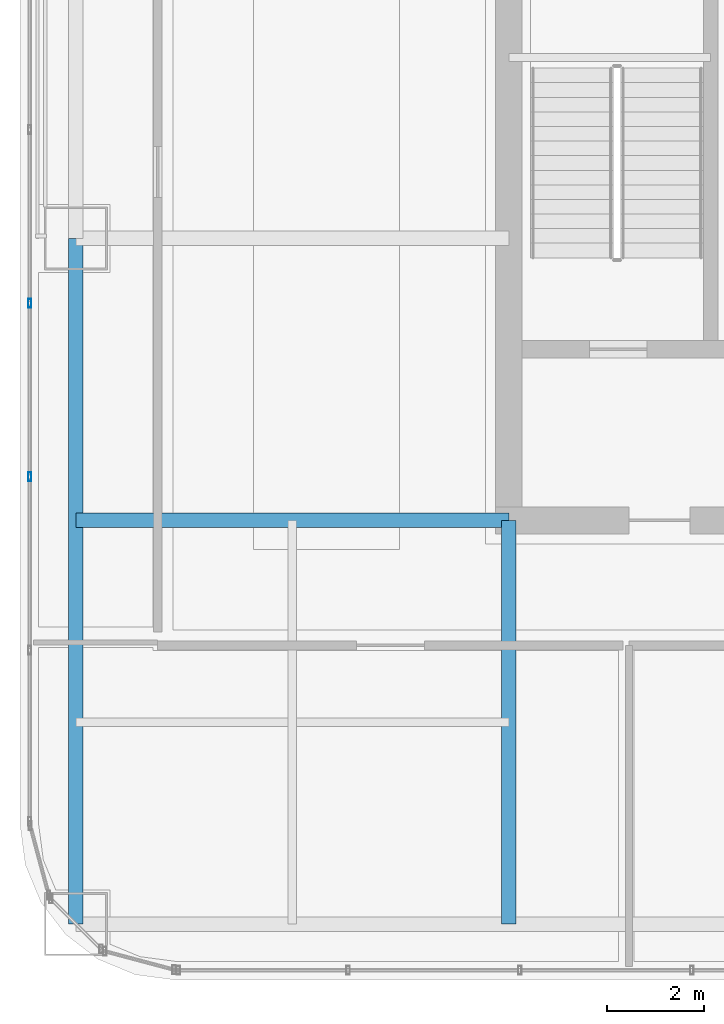
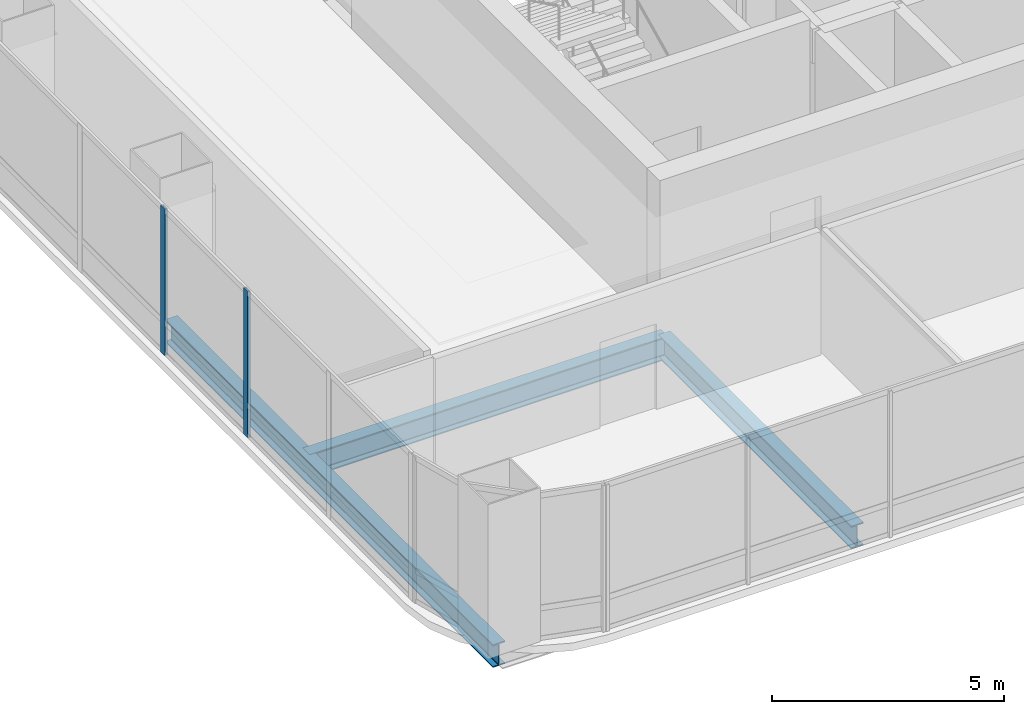
# One storey, part 4 of 42: 3 beams, 2 members, 1 element without a shape of its own.
"""IFC4 building model written with IfcOpenShell, lengths in metres."""

from ifc_helpers import new_model, si_unit, direction, frame, origin, origin_2d, place, context, subcontext, project, spatial, hollow_rectangle, i_section, extrude, material, material_profile, profile_set, type_object, element, aggregate, save


model = new_model("IFC4")

# Units and contexts
model_context = context("Model", 3, precision=1e-05, world=origin(), true_north=direction((0.0, 1.0)))
body_context = subcontext(model_context, "Body", "Model", "MODEL_VIEW")
ifc_project = project(units=[si_unit("LENGTHUNIT", "METRE"), si_unit("AREAUNIT", "SQUARE_METRE"), si_unit("VOLUMEUNIT", "CUBIC_METRE"), si_unit("PLANEANGLEUNIT", "RADIAN"), si_unit("MASSUNIT", "GRAM", prefix="KILO")], contexts=[model_context])

# Site, building, storey
site_placement = place(None, origin())
site = spatial("IfcSite", under=ifc_project, at=site_placement, CompositionType="ELEMENT")
building_placement = place(site_placement, origin())
building = spatial("IfcBuilding", under=site, at=building_placement, Name="Punatoya Terracotta Tower", CompositionType="ELEMENT")
storey_placement = place(building_placement, frame((0.0, 0.0, 255.449951171875)))
storey = spatial("IfcBuildingStorey", under=building, at=storey_placement, Name="L60", CompositionType="ELEMENT", Elevation=255.449951171875)

# Beams
ifc_material_1 = material(Name="Steel S355", Category="steel")
ifc_material_profile_1 = material_profile(ifc_material_1, i_section(OverallWidth=0.300048828125, OverallDepth=0.60009765625, WebThickness=0.015380859375, FlangeThickness=0.030029296875, FilletRadius=0.01806640625, at=origin_2d()))
ifc_profile_set_1 = profile_set([ifc_material_profile_1], Name="Steel S355")
beam_type = type_object("IfcBeamType", Name="BM-PRI-600", PredefinedType="BEAM", material=ifc_profile_set_1)
beam_1_placement = place(storey_placement, frame((-19.10009765625, -17.5, -0.5), z_axis=(0.0, 1.0, 0.0), x_axis=(-1.0, 0.0, 0.0)))
element("IfcBeam", 1, at=beam_1_placement, inside=storey, type_object=beam_type, Name="BM-L60-RG-W1", PredefinedType="BEAM", context=body_context, shape_type="SweptSolid", body=[
    extrude(i_section(OverallWidth=0.300048828125, OverallDepth=0.60009765625, WebThickness=0.015380859375, FlangeThickness=0.030029296875, FilletRadius=0.01806640625, at=origin_2d()), origin(), (0.0, 0.0, 1.0), 14.10009765625),
])
beam_2_placement = place(storey_placement, frame((-19.10009765625, -9.199951171875, -0.5), z_axis=(1.0, 0.0, 0.0), x_axis=(0.0, 1.0, 0.0)))
element("IfcBeam", 2, at=beam_2_placement, inside=storey, type_object=beam_type, Name="BM-L60-PR-WS", PredefinedType="BEAM", context=body_context, shape_type="SweptSolid", body=[
    extrude(i_section(OverallWidth=0.300048828125, OverallDepth=0.60009765625, WebThickness=0.015380859375, FlangeThickness=0.030029296875, FilletRadius=0.01806640625, at=origin_2d()), origin(), (0.0, 0.0, 1.0), 8.900146484375),
])
beam_3_placement = place(storey_placement, frame((-10.199951171875, -17.5, -0.5), z_axis=(0.0, 1.0, 0.0), x_axis=(-1.0, 0.0, 0.0)))
element("IfcBeam", 3, at=beam_3_placement, inside=storey, type_object=beam_type, Name="BM-L60-PR-S1", PredefinedType="BEAM", context=body_context, shape_type="SweptSolid", body=[
    extrude(i_section(OverallWidth=0.300048828125, OverallDepth=0.60009765625, WebThickness=0.015380859375, FlangeThickness=0.030029296875, FilletRadius=0.01806640625, at=origin_2d()), origin(), (0.0, 0.0, 1.0), 8.300048828125),
])

# Curtain wall, members
ifc_material_2 = material(Name="Aluminium 6063-T6 + Double Low-E Glass", Category="aluminium")
curtain_wall_type = type_object("IfcCurtainWallType", Name="CW-M3", PredefinedType="NOTDEFINED", material=ifc_material_2)
curtain_wall_placement = place(storey_placement, origin())
curtain_wall = element("IfcCurtainWall", 4, at=curtain_wall_placement, inside=storey, type_object=curtain_wall_type, Name="L60 Curtain Wall CW-L60-W13-1", PredefinedType="NOTDEFINED")
ifc_material_3 = material(Name="Aluminium 6063-T6", Category="aluminium")
ifc_material_profile_2 = material_profile(ifc_material_3, hollow_rectangle(XDim=0.070068359375, YDim=0.179931640625, WallThickness=0.00390625, at=origin_2d()))
ifc_profile_set_2 = profile_set([ifc_material_profile_2], Name="Aluminium 6063-T6")
member_type = type_object("IfcMemberType", Name="CW-MUL-M3", PredefinedType="MULLION", material=ifc_profile_set_2)
member_1_placement = place(storey_placement, frame((-20.050048828125, -4.73486328125, 0.0), z_axis=(0.0, 0.0, 1.0), x_axis=(1.0, 0.0, 0.0)))
member_1 = element("IfcMember", 5, at=member_1_placement, type_object=member_type, Name="CW-L60-W13-1 Mullion 07", PredefinedType="MULLION", context=body_context, shape_type="SweptSolid", body=[
    extrude(hollow_rectangle(XDim=0.070068359375, YDim=0.179931640625, WallThickness=0.00390625, at=origin_2d()), origin(), (0.0, 0.0, 1.0), 3.85009765625),
])
member_2_placement = place(storey_placement, frame((-20.050048828125, -8.302001953125, 0.0), z_axis=(0.0, 0.0, 1.0), x_axis=(1.0, 0.0, 0.0)))
member_2 = element("IfcMember", 6, at=member_2_placement, type_object=member_type, Name="CW-L60-W13-1 Mullion 08", PredefinedType="MULLION", context=body_context, shape_type="SweptSolid", body=[
    extrude(hollow_rectangle(XDim=0.070068359375, YDim=0.179931640625, WallThickness=0.00390625, at=origin_2d()), origin(), (0.0, 0.0, 1.0), 3.85009765625),
])
aggregate(curtain_wall, [member_1, member_2])

save(model, "model.ifc")
